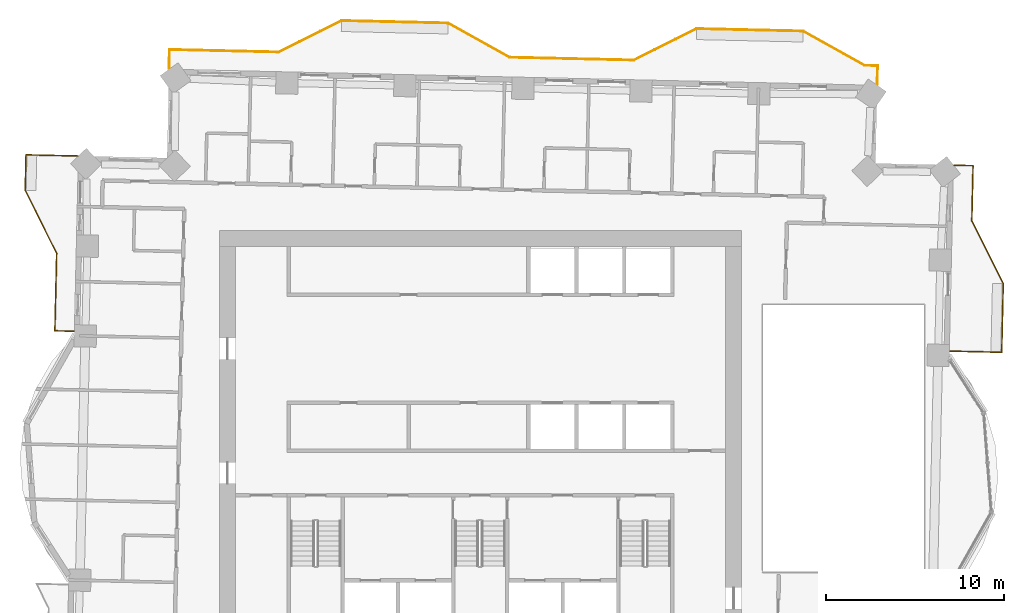
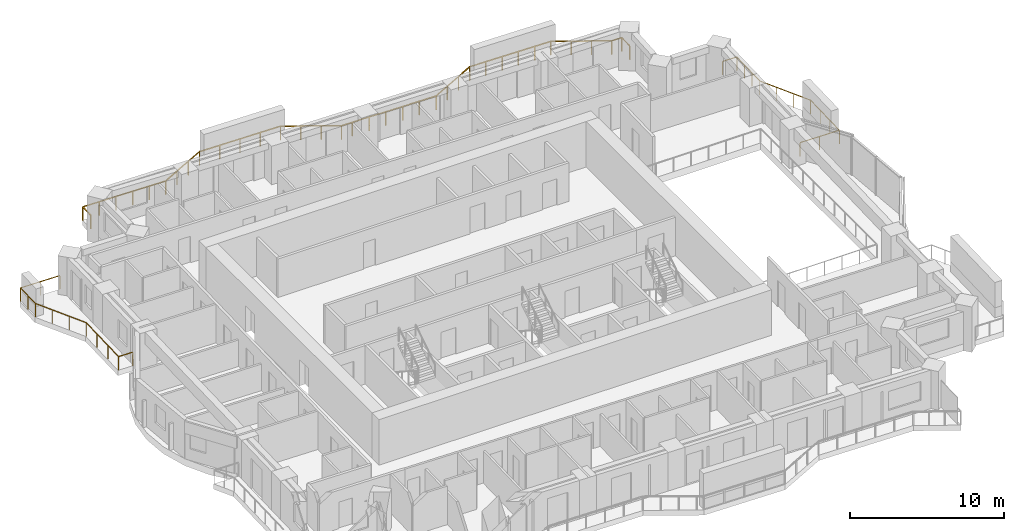
# One storey, part 14 of 14: 3 railings.
"""IFC4 building model written with IfcOpenShell, lengths in metres."""

from ifc_helpers import new_model, si_unit, direction, frame, origin, origin_2d, place, context, subcontext, project, spatial, rectangle, extrude, material, type_object, element, save


model = new_model("IFC4")

# Units and contexts
model_context = context("Model", 3, precision=1e-05, world=origin(), true_north=direction((0.0, 1.0)))
body_context = subcontext(model_context, "Body", "Model", "MODEL_VIEW")
ifc_project = project(units=[si_unit("LENGTHUNIT", "METRE"), si_unit("AREAUNIT", "SQUARE_METRE"), si_unit("VOLUMEUNIT", "CUBIC_METRE"), si_unit("PLANEANGLEUNIT", "RADIAN"), si_unit("MASSUNIT", "GRAM", prefix="KILO")], contexts=[model_context])

# Site, building, storey
site_placement = place(None, origin())
site = spatial("IfcSite", under=ifc_project, at=site_placement, CompositionType="ELEMENT")
building_placement = place(site_placement, origin())
building = spatial("IfcBuilding", under=site, at=building_placement, Name="Mangrove Gate Tower", CompositionType="ELEMENT")
storey_placement = place(building_placement, frame((0.0, 0.0, 159.89990234375)))
storey = spatial("IfcBuildingStorey", under=building, at=storey_placement, Name="L40", CompositionType="ELEMENT", Elevation=159.89990234375)

# Railings
ifc_material = material(Name="Stainless steel grade 316 with laminated glass infill", Category="steel")
railing_type = type_object("IfcRailingType", Name="Balcony guard 1100", PredefinedType="GUARDRAIL", material=ifc_material)
railing_1_placement = place(storey_placement, frame((26.43505859375, 4.9130859375, 0.0)))
element("IfcRailing", 1, at=railing_1_placement, inside=storey, type_object=railing_type, Name="GUARD L40 E2", PredefinedType="GUARDRAIL", context=body_context, shape_type="SweptSolid", body=[
    extrude(rectangle(XDim=0.048095703125, YDim=0.048095703125, at=origin_2d()), frame((0.0, 0.0, 1.076171875), z_axis=(0.999749187329, -0.022395589648, 0.0), x_axis=(0.022395589648, 0.999749187329, 0.0)), (0.0, 0.0, 1.0), 2.91064453125),
    extrude(rectangle(XDim=0.048095703125, YDim=0.048095703125, at=origin_2d()), frame((2.909912109375, -0.065185546875, 1.076171875), z_axis=(0.022435098042, 0.999748301512, 0.0), x_axis=(-0.999748301512, 0.022435098042, 0.0)), (0.0, 0.0, 1.0), 3.8740234375),
    extrude(rectangle(XDim=0.048095703125, YDim=0.048095703125, at=origin_2d()), frame((2.996826171875, 3.807861328125, 1.076171875), z_axis=(-0.447065574839, 0.894501186021, 0.0), x_axis=(-0.894501186021, -0.447065574839, 0.0)), (0.0, 0.0, 1.0), 3.958740234375),
    extrude(rectangle(XDim=0.048095703125, YDim=0.048095703125, at=origin_2d()), frame((1.22705078125, 7.348876953125, 1.076171875), z_axis=(0.022832288526, 0.999739309321, 0.0), x_axis=(-0.999739309321, 0.022832288526, 0.0)), (0.0, 0.0, 1.0), 3.100830078125),
    extrude(rectangle(XDim=0.048095703125, YDim=0.048095703125, at=origin_2d()), frame((1.2978515625, 10.448974609375, 1.076171875), z_axis=(-0.999765634628, 0.021648921828, 0.0), x_axis=(-0.021648921828, -0.999765634628, 0.0)), (0.0, 0.0, 1.0), 1.06005859375),
    extrude(rectangle(XDim=0.0419921875, YDim=0.0419921875, at=origin_2d()), origin(), (0.0, 0.0, 1.0), 1.052001953125),
    extrude(rectangle(XDim=0.0419921875, YDim=0.0419921875, at=origin_2d()), frame((1.455078125, -0.03271484375, 0.0)), (0.0, 0.0, 1.0), 1.052001953125),
    extrude(rectangle(XDim=0.0419921875, YDim=0.0419921875, at=origin_2d()), frame((2.909912109375, -0.065185546875, 0.0)), (0.0, 0.0, 1.0), 1.052001953125),
    extrude(rectangle(XDim=0.0419921875, YDim=0.0419921875, at=origin_2d()), frame((2.93896484375, 1.225830078125, 0.0)), (0.0, 0.0, 1.0), 1.052001953125),
    extrude(rectangle(XDim=0.0419921875, YDim=0.0419921875, at=origin_2d()), frame((2.9677734375, 2.516845703125, 0.0)), (0.0, 0.0, 1.0), 1.052001953125),
    extrude(rectangle(XDim=0.0419921875, YDim=0.0419921875, at=origin_2d()), frame((2.996826171875, 3.807861328125, 0.0)), (0.0, 0.0, 1.0), 1.052001953125),
    extrude(rectangle(XDim=0.0419921875, YDim=0.0419921875, at=origin_2d()), frame((2.406982421875, 4.98828125, 0.0)), (0.0, 0.0, 1.0), 1.052001953125),
    extrude(rectangle(XDim=0.0419921875, YDim=0.0419921875, at=origin_2d()), frame((1.81689453125, 6.16845703125, 0.0)), (0.0, 0.0, 1.0), 1.052001953125),
    extrude(rectangle(XDim=0.0419921875, YDim=0.0419921875, at=origin_2d()), frame((1.22705078125, 7.348876953125, 0.0)), (0.0, 0.0, 1.0), 1.052001953125),
    extrude(rectangle(XDim=0.0419921875, YDim=0.0419921875, at=origin_2d()), frame((1.250732421875, 8.38232421875, 0.0)), (0.0, 0.0, 1.0), 1.052001953125),
    extrude(rectangle(XDim=0.0419921875, YDim=0.0419921875, at=origin_2d()), frame((1.274169921875, 9.41552734375, 0.0)), (0.0, 0.0, 1.0), 1.052001953125),
    extrude(rectangle(XDim=0.0419921875, YDim=0.0419921875, at=origin_2d()), frame((1.2978515625, 10.448974609375, 0.0)), (0.0, 0.0, 1.0), 1.052001953125),
    extrude(rectangle(XDim=0.0419921875, YDim=0.0419921875, at=origin_2d()), frame((0.238037109375, 10.471923828125, 0.0)), (0.0, 0.0, 1.0), 1.052001953125),
])
railing_2_placement = place(storey_placement, frame((22.3349609375, 19.925048828125, 0.0)))
element("IfcRailing", 2, at=railing_2_placement, inside=storey, type_object=railing_type, Name="GUARD L40 N1", PredefinedType="GUARDRAIL", context=body_context, shape_type="SweptSolid", body=[
    extrude(rectangle(XDim=0.048095703125, YDim=0.048095703125, at=origin_2d()), frame((0.0, 0.0, 1.076171875), z_axis=(0.022564497502, 0.999745389313, 0.0), x_axis=(-0.999745389313, 0.022564497502, 0.0)), (0.0, 0.0, 1.0), 1.060302734375),
    extrude(rectangle(XDim=0.048095703125, YDim=0.048095703125, at=origin_2d()), frame((0.02392578125, 1.06005859375, 1.076171875), z_axis=(-0.999740983427, 0.022758867653, 0.0), x_axis=(-0.022758867653, -0.999740983427, 0.0)), (0.0, 0.0, 1.0), 0.740234375),
    extrude(rectangle(XDim=0.048095703125, YDim=0.048095703125, at=origin_2d()), frame((-0.716064453125, 1.076904296875, 1.076171875), z_axis=(-0.873242256246, 0.487286324359, 0.0), x_axis=(-0.487286324359, -0.873242256246, 0.0)), (0.0, 0.0, 1.0), 3.95849609375),
    extrude(rectangle(XDim=0.048095703125, YDim=0.048095703125, at=origin_2d()), frame((-4.1728515625, 3.005859375, 1.076171875), z_axis=(-0.999743178102, 0.022662255828, 0.0), x_axis=(-0.022662255828, -0.999743178102, 0.0)), (0.0, 0.0, 1.0), 6.00048828125),
    extrude(rectangle(XDim=0.048095703125, YDim=0.048095703125, at=origin_2d()), frame((-10.171875, 3.141845703125, 1.076171875), z_axis=(-0.894501186021, -0.447065574839, 0.0), x_axis=(0.447065574839, -0.894501186021, 0.0)), (0.0, 0.0, 1.0), 3.958740234375),
    extrude(rectangle(XDim=0.048095703125, YDim=0.048095703125, at=origin_2d()), frame((-13.712890625, 1.3720703125, 1.076171875), z_axis=(-0.999745381129, 0.022564860101, 0.0), x_axis=(-0.022564860101, -0.999745381129, 0.0)), (0.0, 0.0, 1.0), 6.199462890625),
    extrude(rectangle(XDim=0.048095703125, YDim=0.048095703125, at=origin_2d()), frame((-19.910888671875, 1.511962890625, 1.076171875), z_axis=(-0.999745132473, 0.022575874215, 0.0), x_axis=(-0.022575874215, -0.999745132473, 0.0)), (0.0, 0.0, 1.0), 0.80029296875),
    extrude(rectangle(XDim=0.048095703125, YDim=0.048095703125, at=origin_2d()), frame((-20.7109375, 1.530029296875, 1.076171875), z_axis=(-0.87325689943, 0.48726008209, 0.0), x_axis=(-0.48726008209, -0.87325689943, 0.0)), (0.0, 0.0, 1.0), 3.958740234375),
    extrude(rectangle(XDim=0.048095703125, YDim=0.048095703125, at=origin_2d()), frame((-24.16796875, 3.458984375, 1.076171875), z_axis=(-0.999743094499, 0.022665943652, 0.0), x_axis=(-0.022665943652, -0.999743094499, 0.0)), (0.0, 0.0, 1.0), 5.99951171875),
    extrude(rectangle(XDim=0.048095703125, YDim=0.048095703125, at=origin_2d()), frame((-30.166015625, 3.594970703125, 1.076171875), z_axis=(-0.894525821107, -0.447016280881, 0.0), x_axis=(0.447016280881, -0.894525821107, 0.0)), (0.0, 0.0, 1.0), 3.959716796875),
    extrude(rectangle(XDim=0.048095703125, YDim=0.048095703125, at=origin_2d()), frame((-33.7080078125, 1.824951171875, 1.076171875), z_axis=(-0.999740375904, 0.022785538976, 0.0), x_axis=(-0.022785538976, -0.999740375904, 0.0)), (0.0, 0.0, 1.0), 6.1396484375),
    extrude(rectangle(XDim=0.048095703125, YDim=0.048095703125, at=origin_2d()), frame((-39.845947265625, 1.96484375, 1.076171875), z_axis=(-0.02256969285, -0.999745272039, 0.0), x_axis=(0.999745272039, -0.02256969285, 0.0)), (0.0, 0.0, 1.0), 1.06005859375),
    extrude(rectangle(XDim=0.0419921875, YDim=0.0419921875, at=origin_2d()), origin(), (0.0, 0.0, 1.0), 1.052001953125),
    extrude(rectangle(XDim=0.0419921875, YDim=0.0419921875, at=origin_2d()), frame((0.02392578125, 1.06005859375, 0.0)), (0.0, 0.0, 1.0), 1.052001953125),
    extrude(rectangle(XDim=0.0419921875, YDim=0.0419921875, at=origin_2d()), frame((-0.716064453125, 1.076904296875, 0.0)), (0.0, 0.0, 1.0), 1.052001953125),
    extrude(rectangle(XDim=0.0419921875, YDim=0.0419921875, at=origin_2d()), frame((-1.868408203125, 1.719970703125, 0.0)), (0.0, 0.0, 1.0), 1.052001953125),
    extrude(rectangle(XDim=0.0419921875, YDim=0.0419921875, at=origin_2d()), frame((-3.0205078125, 2.36279296875, 0.0)), (0.0, 0.0, 1.0), 1.052001953125),
    extrude(rectangle(XDim=0.0419921875, YDim=0.0419921875, at=origin_2d()), frame((-4.1728515625, 3.005859375, 0.0)), (0.0, 0.0, 1.0), 1.052001953125),
    extrude(rectangle(XDim=0.0419921875, YDim=0.0419921875, at=origin_2d()), frame((-5.37255859375, 3.032958984375, 0.0)), (0.0, 0.0, 1.0), 1.052001953125),
    extrude(rectangle(XDim=0.0419921875, YDim=0.0419921875, at=origin_2d()), frame((-6.572509765625, 3.060302734375, 0.0)), (0.0, 0.0, 1.0), 1.052001953125),
    extrude(rectangle(XDim=0.0419921875, YDim=0.0419921875, at=origin_2d()), frame((-7.772216796875, 3.08740234375, 0.0)), (0.0, 0.0, 1.0), 1.052001953125),
    extrude(rectangle(XDim=0.0419921875, YDim=0.0419921875, at=origin_2d()), frame((-8.97216796875, 3.11474609375, 0.0)), (0.0, 0.0, 1.0), 1.052001953125),
    extrude(rectangle(XDim=0.0419921875, YDim=0.0419921875, at=origin_2d()), frame((-10.171875, 3.141845703125, 0.0)), (0.0, 0.0, 1.0), 1.052001953125),
    extrude(rectangle(XDim=0.0419921875, YDim=0.0419921875, at=origin_2d()), frame((-11.352294921875, 2.552001953125, 0.0)), (0.0, 0.0, 1.0), 1.052001953125),
    extrude(rectangle(XDim=0.0419921875, YDim=0.0419921875, at=origin_2d()), frame((-12.532470703125, 1.9619140625, 0.0)), (0.0, 0.0, 1.0), 1.052001953125),
    extrude(rectangle(XDim=0.0419921875, YDim=0.0419921875, at=origin_2d()), frame((-13.712890625, 1.3720703125, 0.0)), (0.0, 0.0, 1.0), 1.052001953125),
    extrude(rectangle(XDim=0.0419921875, YDim=0.0419921875, at=origin_2d()), frame((-14.952392578125, 1.400146484375, 0.0)), (0.0, 0.0, 1.0), 1.052001953125),
    extrude(rectangle(XDim=0.0419921875, YDim=0.0419921875, at=origin_2d()), frame((-16.192138671875, 1.427978515625, 0.0)), (0.0, 0.0, 1.0), 1.052001953125),
    extrude(rectangle(XDim=0.0419921875, YDim=0.0419921875, at=origin_2d()), frame((-17.431640625, 1.4560546875, 0.0)), (0.0, 0.0, 1.0), 1.052001953125),
    extrude(rectangle(XDim=0.0419921875, YDim=0.0419921875, at=origin_2d()), frame((-18.67138671875, 1.48388671875, 0.0)), (0.0, 0.0, 1.0), 1.052001953125),
    extrude(rectangle(XDim=0.0419921875, YDim=0.0419921875, at=origin_2d()), frame((-19.910888671875, 1.511962890625, 0.0)), (0.0, 0.0, 1.0), 1.052001953125),
    extrude(rectangle(XDim=0.0419921875, YDim=0.0419921875, at=origin_2d()), frame((-20.7109375, 1.530029296875, 0.0)), (0.0, 0.0, 1.0), 1.052001953125),
    extrude(rectangle(XDim=0.0419921875, YDim=0.0419921875, at=origin_2d()), frame((-21.86328125, 2.173095703125, 0.0)), (0.0, 0.0, 1.0), 1.052001953125),
    extrude(rectangle(XDim=0.0419921875, YDim=0.0419921875, at=origin_2d()), frame((-23.015625, 2.81591796875, 0.0)), (0.0, 0.0, 1.0), 1.052001953125),
    extrude(rectangle(XDim=0.0419921875, YDim=0.0419921875, at=origin_2d()), frame((-24.16796875, 3.458984375, 0.0)), (0.0, 0.0, 1.0), 1.052001953125),
    extrude(rectangle(XDim=0.0419921875, YDim=0.0419921875, at=origin_2d()), frame((-25.66748046875, 3.492919921875, 0.0)), (0.0, 0.0, 1.0), 1.052001953125),
    extrude(rectangle(XDim=0.0419921875, YDim=0.0419921875, at=origin_2d()), frame((-27.1669921875, 3.52685546875, 0.0)), (0.0, 0.0, 1.0), 1.052001953125),
    extrude(rectangle(XDim=0.0419921875, YDim=0.0419921875, at=origin_2d()), frame((-28.66650390625, 3.56103515625, 0.0)), (0.0, 0.0, 1.0), 1.052001953125),
    extrude(rectangle(XDim=0.0419921875, YDim=0.0419921875, at=origin_2d()), frame((-30.166015625, 3.594970703125, 0.0)), (0.0, 0.0, 1.0), 1.052001953125),
    extrude(rectangle(XDim=0.0419921875, YDim=0.0419921875, at=origin_2d()), frame((-31.3466796875, 3.0048828125, 0.0)), (0.0, 0.0, 1.0), 1.052001953125),
    extrude(rectangle(XDim=0.0419921875, YDim=0.0419921875, at=origin_2d()), frame((-32.52734375, 2.4150390625, 0.0)), (0.0, 0.0, 1.0), 1.052001953125),
    extrude(rectangle(XDim=0.0419921875, YDim=0.0419921875, at=origin_2d()), frame((-33.7080078125, 1.824951171875, 0.0)), (0.0, 0.0, 1.0), 1.052001953125),
    extrude(rectangle(XDim=0.0419921875, YDim=0.0419921875, at=origin_2d()), frame((-34.935546875, 1.85302734375, 0.0)), (0.0, 0.0, 1.0), 1.052001953125),
    extrude(rectangle(XDim=0.0419921875, YDim=0.0419921875, at=origin_2d()), frame((-36.1630859375, 1.880859375, 0.0)), (0.0, 0.0, 1.0), 1.052001953125),
    extrude(rectangle(XDim=0.0419921875, YDim=0.0419921875, at=origin_2d()), frame((-37.390869140625, 1.908935546875, 0.0)), (0.0, 0.0, 1.0), 1.052001953125),
    extrude(rectangle(XDim=0.0419921875, YDim=0.0419921875, at=origin_2d()), frame((-38.618408203125, 1.936767578125, 0.0)), (0.0, 0.0, 1.0), 1.052001953125),
    extrude(rectangle(XDim=0.0419921875, YDim=0.0419921875, at=origin_2d()), frame((-39.845947265625, 1.96484375, 0.0)), (0.0, 0.0, 1.0), 1.052001953125),
    extrude(rectangle(XDim=0.0419921875, YDim=0.0419921875, at=origin_2d()), frame((-39.869873046875, 0.905029296875, 0.0)), (0.0, 0.0, 1.0), 1.052001953125),
])
railing_3_placement = place(storey_placement, frame((-22.68798828125, 15.906005859375, 0.0)))
element("IfcRailing", 3, at=railing_3_placement, inside=storey, type_object=railing_type, Name="GUARD L40 W1", PredefinedType="GUARDRAIL", context=body_context, shape_type="SweptSolid", body=[
    extrude(rectangle(XDim=0.048095703125, YDim=0.048095703125, at=origin_2d()), frame((0.0, 0.0, 1.076171875), z_axis=(-0.999750894749, 0.022319239446, 0.0), x_axis=(-0.022319239446, -0.999750894749, 0.0)), (0.0, 0.0, 1.0), 2.90966796875),
    extrude(rectangle(XDim=0.048095703125, YDim=0.048095703125, at=origin_2d()), frame((-2.908935546875, 0.06494140625, 1.076171875), z_axis=(-0.023076413053, -0.999733704124, 0.0), x_axis=(0.999733704124, -0.023076413053, 0.0)), (0.0, 0.0, 1.0), 1.99951171875),
    extrude(rectangle(XDim=0.048095703125, YDim=0.048095703125, at=origin_2d()), frame((-2.955078125, -1.93408203125, 1.076171875), z_axis=(0.447312255532, -0.894377854182, 0.0), x_axis=(0.894377854182, 0.447312255532, 0.0)), (0.0, 0.0, 1.0), 3.959228515625),
    extrude(rectangle(XDim=0.048095703125, YDim=0.048095703125, at=origin_2d()), frame((-1.18408203125, -5.47509765625, 1.076171875), z_axis=(-0.022822810116, -0.999739525746, 0.0), x_axis=(0.999739525746, -0.022822810116, 0.0)), (0.0, 0.0, 1.0), 4.375244140625),
    extrude(rectangle(XDim=0.048095703125, YDim=0.048095703125, at=origin_2d()), frame((-1.283935546875, -9.84912109375, 1.076171875), z_axis=(0.999765634628, -0.021648921828, 0.0), x_axis=(0.021648921828, 0.999765634628, 0.0)), (0.0, 0.0, 1.0), 1.06005859375),
    extrude(rectangle(XDim=0.0419921875, YDim=0.0419921875, at=origin_2d()), origin(), (0.0, 0.0, 1.0), 1.052001953125),
    extrude(rectangle(XDim=0.0419921875, YDim=0.0419921875, at=origin_2d()), frame((-1.45458984375, 0.032470703125, 0.0)), (0.0, 0.0, 1.0), 1.052001953125),
    extrude(rectangle(XDim=0.0419921875, YDim=0.0419921875, at=origin_2d()), frame((-2.908935546875, 0.06494140625, 0.0)), (0.0, 0.0, 1.0), 1.052001953125),
    extrude(rectangle(XDim=0.0419921875, YDim=0.0419921875, at=origin_2d()), frame((-2.93212890625, -0.9345703125, 0.0)), (0.0, 0.0, 1.0), 1.052001953125),
    extrude(rectangle(XDim=0.0419921875, YDim=0.0419921875, at=origin_2d()), frame((-2.955078125, -1.93408203125, 0.0)), (0.0, 0.0, 1.0), 1.052001953125),
    extrude(rectangle(XDim=0.0419921875, YDim=0.0419921875, at=origin_2d()), frame((-2.36474609375, -3.114501953125, 0.0)), (0.0, 0.0, 1.0), 1.052001953125),
    extrude(rectangle(XDim=0.0419921875, YDim=0.0419921875, at=origin_2d()), frame((-1.7744140625, -4.294677734375, 0.0)), (0.0, 0.0, 1.0), 1.052001953125),
    extrude(rectangle(XDim=0.0419921875, YDim=0.0419921875, at=origin_2d()), frame((-1.18408203125, -5.47509765625, 0.0)), (0.0, 0.0, 1.0), 1.052001953125),
    extrude(rectangle(XDim=0.0419921875, YDim=0.0419921875, at=origin_2d()), frame((-1.21728515625, -6.93310546875, 0.0)), (0.0, 0.0, 1.0), 1.052001953125),
    extrude(rectangle(XDim=0.0419921875, YDim=0.0419921875, at=origin_2d()), frame((-1.250732421875, -8.39111328125, 0.0)), (0.0, 0.0, 1.0), 1.052001953125),
    extrude(rectangle(XDim=0.0419921875, YDim=0.0419921875, at=origin_2d()), frame((-1.283935546875, -9.84912109375, 0.0)), (0.0, 0.0, 1.0), 1.052001953125),
    extrude(rectangle(XDim=0.0419921875, YDim=0.0419921875, at=origin_2d()), frame((-0.22412109375, -9.8720703125, 0.0)), (0.0, 0.0, 1.0), 1.052001953125),
])

save(model, "model.ifc")
